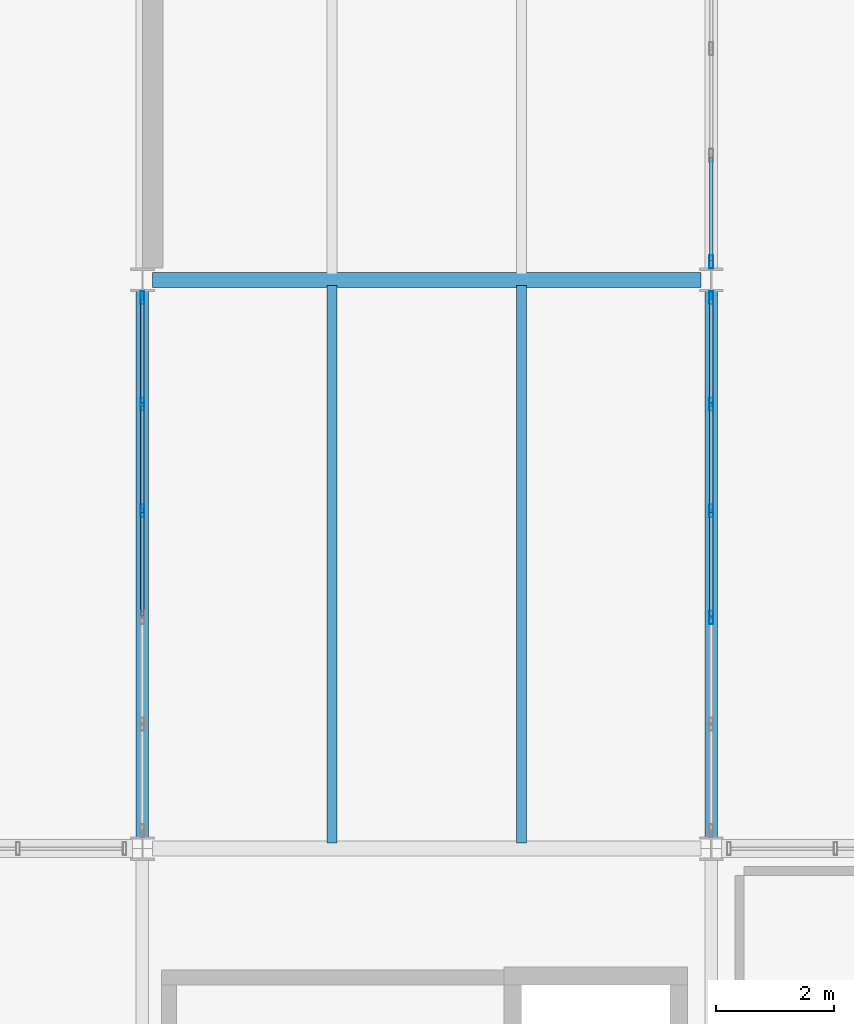
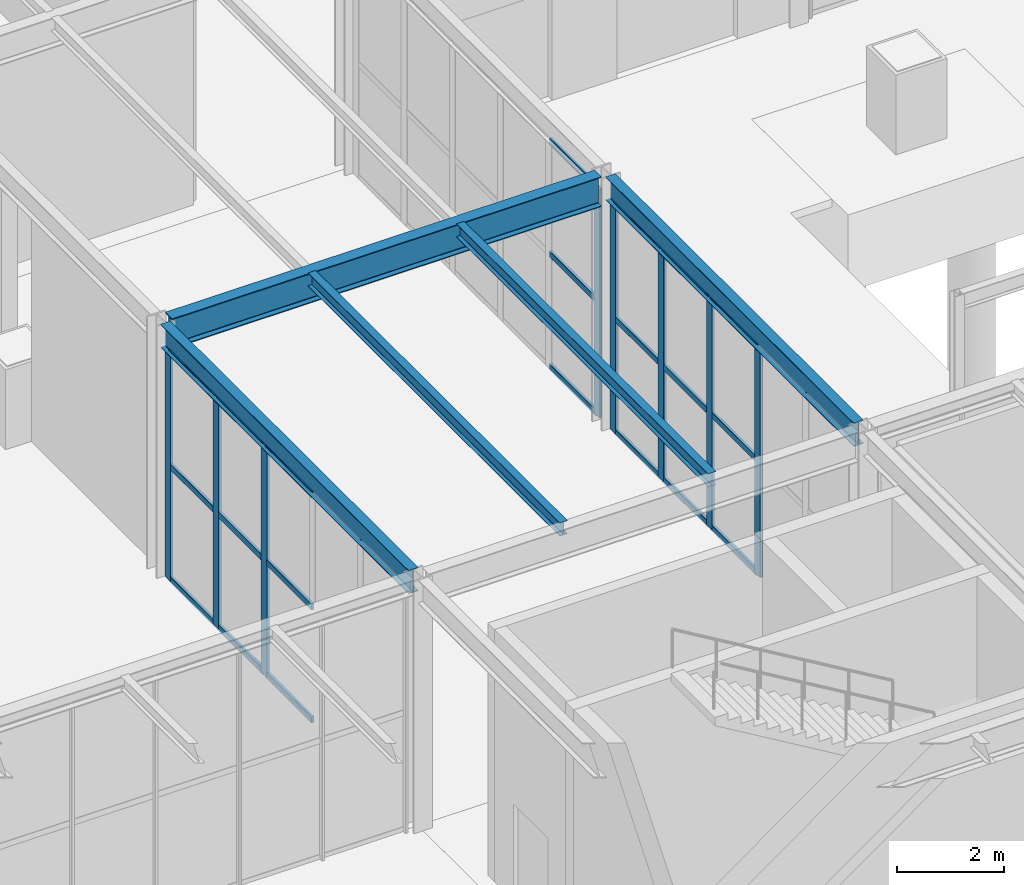
# One storey, part 45 of 142: 29 members, 5 beams, 3 elements without a shape of their own.
"""IFC4 building model written with IfcOpenShell, lengths in metres."""

from ifc_helpers import new_model, si_unit, direction, frame, origin, origin_2d, place, context, subcontext, project, spatial, hollow_rectangle, i_section, extrude, material, material_profile, profile_set, type_object, element, aggregate, save


model = new_model("IFC4")

# Units and contexts
model_context = context("Model", 3, precision=1e-05, world=origin(), true_north=direction((0.0, 1.0)))
body_context = subcontext(model_context, "Body", "Model", "MODEL_VIEW")
ifc_project = project(units=[si_unit("LENGTHUNIT", "METRE"), si_unit("AREAUNIT", "SQUARE_METRE"), si_unit("VOLUMEUNIT", "CUBIC_METRE"), si_unit("PLANEANGLEUNIT", "RADIAN"), si_unit("MASSUNIT", "GRAM", prefix="KILO")], contexts=[model_context])

# Site, building, storey
site_placement = place(None, origin())
site = spatial("IfcSite", under=ifc_project, at=site_placement, CompositionType="ELEMENT")
building_placement = place(site_placement, origin())
building = spatial("IfcBuilding", under=site, at=building_placement, Name="Coralgate Yard Interchange", CompositionType="ELEMENT")
storey_placement = place(building_placement, origin())
storey = spatial("IfcBuildingStorey", under=building, at=storey_placement, Name="L00", CompositionType="ELEMENT", Elevation=0.0)

# Beams
ifc_material_1 = material(Name="Structural steel S355J2", Category="steel")
ifc_material_profile_1 = material_profile(ifc_material_1, i_section(OverallWidth=0.209228515625, OverallDepth=0.533203125, WebThickness=0.010009765625, FlangeThickness=0.015625, FilletRadius=0.0126953125, at=origin_2d()), Name="UB 533x210x92")
ifc_profile_set_1 = profile_set([ifc_material_profile_1], Name="Structural steel S355J2")
beam_type_1 = type_object("IfcBeamType", Name="BM-SB-1", PredefinedType="BEAM", material=ifc_profile_set_1)
for number, where, z_axis, x_axis, name in (
    (1, (48.0, 19.36669921875, 5.4833984375), (0.0, 1.0, 0.0), (-1.0, 0.0, 0.0), "L00 primary grid girder X5 Y2-3"),
    (2, (57.60009765625, 19.36669921875, 5.4833984375), (0.0, 1.0, 0.0), (-1.0, 0.0, 0.0), "L00 primary grid girder X6 Y2-3"),
):
    element("IfcBeam", number, at=place(storey_placement, frame(where, z_axis=z_axis, x_axis=x_axis)), inside=storey, type_object=beam_type_1, Name=name, PredefinedType="BEAM", context=body_context, shape_type="SweptSolid", body=[
        extrude(i_section(OverallWidth=0.209228515625, OverallDepth=0.533203125, WebThickness=0.010009765625, FlangeThickness=0.015625, FilletRadius=0.0126953125, at=origin_2d()), origin(), (0.0, 0.0, 1.0), 9.2666015625),
    ])
ifc_material_profile_2 = material_profile(ifc_material_1, i_section(OverallWidth=0.253662109375, OverallDepth=0.68359375, WebThickness=0.012451171875, FlangeThickness=0.01904296875, FilletRadius=0.01513671875, at=origin_2d()), Name="UB 686x254x140")
ifc_profile_set_2 = profile_set([ifc_material_profile_2], Name="Structural steel S355J2")
beam_type_2 = type_object("IfcBeamType", Name="BM-SG-4", PredefinedType="BEAM", material=ifc_profile_set_2)
beam_placement = place(storey_placement, frame((48.16943359375, 28.800048828125, 5.408203125), z_axis=(1.0, 0.0, 0.0), x_axis=(0.0, 1.0, 0.0)))
element("IfcBeam", 3, at=beam_placement, inside=storey, type_object=beam_type_2, Name="L00 primary grid beam Y3 X5-6", PredefinedType="BEAM", context=body_context, shape_type="SweptSolid", body=[
    extrude(i_section(OverallWidth=0.253662109375, OverallDepth=0.68359375, WebThickness=0.012451171875, FlangeThickness=0.01904296875, FilletRadius=0.01513671875, at=origin_2d()), origin(), (0.0, 0.0, 1.0), 9.260986328125),
])
ifc_material_profile_3 = material_profile(ifc_material_1, i_section(OverallWidth=0.1650390625, OverallDepth=0.303466796875, WebThickness=0.006103515625, FlangeThickness=0.01025390625, FilletRadius=0.0087890625, at=origin_2d()), Name="UB 305x165x40")
ifc_profile_set_3 = profile_set([ifc_material_profile_3], Name="Structural steel S355J2")
beam_type_3 = type_object("IfcBeamType", Name="BM-SJ-1", PredefinedType="JOIST", material=ifc_profile_set_3)
for number, where, z_axis, x_axis, name in (
    (4, (51.199951171875, 19.296875, 5.598388671875), (0.0, 1.0, 0.0), (-1.0, 0.0, 0.0), "L00 composite floor joist 5-2-1"),
    (5, (54.39990234375, 19.296875, 5.598388671875), (0.0, 1.0, 0.0), (-1.0, 0.0, 0.0), "L00 composite floor joist 5-2-2"),
):
    element("IfcBeam", number, at=place(storey_placement, frame(where, z_axis=z_axis, x_axis=x_axis)), inside=storey, type_object=beam_type_3, Name=name, PredefinedType="JOIST", context=body_context, shape_type="SweptSolid", body=[
        extrude(i_section(OverallWidth=0.1650390625, OverallDepth=0.303466796875, WebThickness=0.006103515625, FlangeThickness=0.01025390625, FilletRadius=0.0087890625, at=origin_2d()), origin(), (0.0, 0.0, 1.0), 9.40625),
    ])

# Curtain wall, members
ifc_material_2 = material(Name="Anodised coastal aluminium and solar-control low-E glass", Category="aluminium")
curtain_wall_type_1 = type_object("IfcCurtainWallType", Name="CW-CW-L00-B", PredefinedType="NOTDEFINED", material=ifc_material_2)
curtain_wall_1_placement = place(storey_placement, origin())
curtain_wall_1 = element("IfcCurtainWall", 6, at=curtain_wall_1_placement, inside=storey, type_object=curtain_wall_type_1, Name="L00 unitised curtain wall CW-L00-W-05-02", PredefinedType="NOTDEFINED")
ifc_material_3 = material(Name="Anodised coastal aluminium 6063-T6", Category="aluminium")
ifc_material_profile_4 = material_profile(ifc_material_3, hollow_rectangle(XDim=0.06005859375, YDim=0.219970703125, WallThickness=0.00390625, InnerFilletRadius=0.00390625, OuterFilletRadius=0.008056640625, at=origin_2d()), Name="ALU 60x220x4")
ifc_profile_set_4 = profile_set([ifc_material_profile_4], Name="Anodised coastal aluminium 6063-T6")
member_type_1 = type_object("IfcMemberType", Name="MB-MUL-220", PredefinedType="MULLION", material=ifc_profile_set_4)
member_1_placement = place(storey_placement, frame((48.0, 24.89990234375, 0.0), z_axis=(0.0, 0.0, 1.0), x_axis=(1.0, 0.0, 0.0)))
member_1 = element("IfcMember", 7, at=member_1_placement, type_object=member_type_1, Name="CW-L00-W-05-02 vertical mullion 4", PredefinedType="MULLION", context=body_context, shape_type="SweptSolid", body=[
    extrude(hollow_rectangle(XDim=0.06005859375, YDim=0.219970703125, WallThickness=0.00390625, InnerFilletRadius=0.00390625, OuterFilletRadius=0.008056640625, at=origin_2d()), origin(), (0.0, 0.0, 1.0), 5.216796875),
])
member_2_placement = place(storey_placement, frame((48.0, 26.699951171875, 0.0), z_axis=(0.0, 0.0, 1.0), x_axis=(1.0, 0.0, 0.0)))
member_2 = element("IfcMember", 8, at=member_2_placement, type_object=member_type_1, Name="CW-L00-W-05-02 vertical mullion 5", PredefinedType="MULLION", context=body_context, shape_type="SweptSolid", body=[
    extrude(hollow_rectangle(XDim=0.06005859375, YDim=0.219970703125, WallThickness=0.00390625, InnerFilletRadius=0.00390625, OuterFilletRadius=0.008056640625, at=origin_2d()), origin(), (0.0, 0.0, 1.0), 5.216796875),
])
member_3_placement = place(storey_placement, frame((48.0, 28.5, 0.0), z_axis=(0.0, 0.0, 1.0), x_axis=(1.0, 0.0, 0.0)))
member_3 = element("IfcMember", 9, at=member_3_placement, type_object=member_type_1, Name="CW-L00-W-05-02 vertical mullion 6", PredefinedType="MULLION", context=body_context, shape_type="SweptSolid", body=[
    extrude(hollow_rectangle(XDim=0.06005859375, YDim=0.219970703125, WallThickness=0.00390625, InnerFilletRadius=0.00390625, OuterFilletRadius=0.008056640625, at=origin_2d()), origin(), (0.0, 0.0, 1.0), 5.216796875),
])

curtain_wall_type_2 = type_object("IfcCurtainWallType", Name="CW-CW-L00-A", PredefinedType="NOTDEFINED", material=ifc_material_2)
curtain_wall_2_placement = place(storey_placement, origin())
curtain_wall_2 = element("IfcCurtainWall", 10, at=curtain_wall_2_placement, inside=storey, type_object=curtain_wall_type_2, Name="L00 unitised curtain wall CW-L00-E-05-02", PredefinedType="NOTDEFINED")
member_4_placement = place(storey_placement, frame((57.60009765625, 28.5, 0.0), z_axis=(0.0, 0.0, 1.0), x_axis=(1.0, 0.0, 0.0)))
member_4 = element("IfcMember", 11, at=member_4_placement, type_object=member_type_1, Name="CW-L00-E-05-02 vertical mullion 1", PredefinedType="MULLION", context=body_context, shape_type="SweptSolid", body=[
    extrude(hollow_rectangle(XDim=0.06005859375, YDim=0.219970703125, WallThickness=0.00390625, InnerFilletRadius=0.00390625, OuterFilletRadius=0.008056640625, at=origin_2d()), origin(), (0.0, 0.0, 1.0), 5.216796875),
])
member_5_placement = place(storey_placement, frame((57.60009765625, 26.699951171875, 0.0), z_axis=(0.0, 0.0, 1.0), x_axis=(1.0, 0.0, 0.0)))
member_5 = element("IfcMember", 12, at=member_5_placement, type_object=member_type_1, Name="CW-L00-E-05-02 vertical mullion 2", PredefinedType="MULLION", context=body_context, shape_type="SweptSolid", body=[
    extrude(hollow_rectangle(XDim=0.06005859375, YDim=0.219970703125, WallThickness=0.00390625, InnerFilletRadius=0.00390625, OuterFilletRadius=0.008056640625, at=origin_2d()), origin(), (0.0, 0.0, 1.0), 5.216796875),
])
member_6_placement = place(storey_placement, frame((57.60009765625, 24.89990234375, 0.0), z_axis=(0.0, 0.0, 1.0), x_axis=(1.0, 0.0, 0.0)))
member_6 = element("IfcMember", 13, at=member_6_placement, type_object=member_type_1, Name="CW-L00-E-05-02 vertical mullion 3", PredefinedType="MULLION", context=body_context, shape_type="SweptSolid", body=[
    extrude(hollow_rectangle(XDim=0.06005859375, YDim=0.219970703125, WallThickness=0.00390625, InnerFilletRadius=0.00390625, OuterFilletRadius=0.008056640625, at=origin_2d()), origin(), (0.0, 0.0, 1.0), 5.216796875),
])
member_7_placement = place(storey_placement, frame((57.60009765625, 23.10009765625, 0.0), z_axis=(0.0, 0.0, 1.0), x_axis=(1.0, 0.0, 0.0)))
member_7 = element("IfcMember", 14, at=member_7_placement, type_object=member_type_1, Name="CW-L00-E-05-02 vertical mullion 4", PredefinedType="MULLION", context=body_context, shape_type="SweptSolid", body=[
    extrude(hollow_rectangle(XDim=0.06005859375, YDim=0.219970703125, WallThickness=0.00390625, InnerFilletRadius=0.00390625, OuterFilletRadius=0.008056640625, at=origin_2d()), origin(), (0.0, 0.0, 1.0), 5.216796875),
])

# Curtain wall, member
curtain_wall_3_placement = place(storey_placement, origin())
curtain_wall_3 = element("IfcCurtainWall", 15, at=curtain_wall_3_placement, inside=storey, type_object=curtain_wall_type_2, Name="L00 unitised curtain wall CW-L00-E-05-03", PredefinedType="NOTDEFINED")
member_8_placement = place(storey_placement, frame((57.60009765625, 29.10009765625, 0.0), z_axis=(0.0, 0.0, 1.0), x_axis=(1.0, 0.0, 0.0)))
member_8 = element("IfcMember", 16, at=member_8_placement, type_object=member_type_1, Name="CW-L00-E-05-03 vertical mullion 6", PredefinedType="MULLION", context=body_context, shape_type="SweptSolid", body=[
    extrude(hollow_rectangle(XDim=0.06005859375, YDim=0.219970703125, WallThickness=0.00390625, InnerFilletRadius=0.00390625, OuterFilletRadius=0.008056640625, at=origin_2d()), origin(), (0.0, 0.0, 1.0), 5.216796875),
])

# Member
ifc_material_profile_5 = material_profile(ifc_material_3, hollow_rectangle(XDim=0.06005859375, YDim=0.139892578125, WallThickness=0.00341796875, InnerFilletRadius=0.00341796875, OuterFilletRadius=0.007080078125, at=origin_2d()), Name="ALU 60x140x3.5")
ifc_profile_set_5 = profile_set([ifc_material_profile_5], Name="Anodised coastal aluminium 6063-T6")
member_type_2 = type_object("IfcMemberType", Name="MB-TRN-140", PredefinedType="USERDEFINED", material=ifc_profile_set_5)
member_9_placement = place(storey_placement, frame((48.0, 23.1298828125, 0.034912109375), z_axis=(0.0, 1.0, 0.0), x_axis=(-1.0, 0.0, 0.0)))
member_9 = element("IfcMember", 17, at=member_9_placement, type_object=member_type_2, Name="CW-L00-W-05-02 horizontal transom 3-1", ObjectType="TRANSOM", PredefinedType="USERDEFINED", context=body_context, shape_type="SweptSolid", body=[
    extrude(hollow_rectangle(XDim=0.06005859375, YDim=0.139892578125, WallThickness=0.00341796875, InnerFilletRadius=0.00341796875, OuterFilletRadius=0.007080078125, at=origin_2d()), origin(), (0.0, 0.0, 1.0), 1.740234375),
])

member_10_placement = place(storey_placement, frame((48.0, 23.1298828125, 2.6083984375), z_axis=(0.0, 1.0, 0.0), x_axis=(-1.0, 0.0, 0.0)))
member_10 = element("IfcMember", 18, at=member_10_placement, type_object=member_type_2, Name="CW-L00-W-05-02 horizontal transom 3-2", ObjectType="TRANSOM", PredefinedType="USERDEFINED", context=body_context, shape_type="SweptSolid", body=[
    extrude(hollow_rectangle(XDim=0.06005859375, YDim=0.139892578125, WallThickness=0.00341796875, InnerFilletRadius=0.00341796875, OuterFilletRadius=0.007080078125, at=origin_2d()), origin(), (0.0, 0.0, 1.0), 1.740234375),
])

member_11_placement = place(storey_placement, frame((48.0, 23.1298828125, 5.181884765625), z_axis=(0.0, 1.0, 0.0), x_axis=(-1.0, 0.0, 0.0)))
member_11 = element("IfcMember", 19, at=member_11_placement, type_object=member_type_2, Name="CW-L00-W-05-02 horizontal transom 3-3", ObjectType="TRANSOM", PredefinedType="USERDEFINED", context=body_context, shape_type="SweptSolid", body=[
    extrude(hollow_rectangle(XDim=0.06005859375, YDim=0.139892578125, WallThickness=0.00341796875, InnerFilletRadius=0.00341796875, OuterFilletRadius=0.007080078125, at=origin_2d()), origin(), (0.0, 0.0, 1.0), 1.740234375),
])

member_12_placement = place(storey_placement, frame((48.0, 24.929931640625, 0.034912109375), z_axis=(0.0, 1.0, 0.0), x_axis=(-1.0, 0.0, 0.0)))
member_12 = element("IfcMember", 20, at=member_12_placement, type_object=member_type_2, Name="CW-L00-W-05-02 horizontal transom 4-1", ObjectType="TRANSOM", PredefinedType="USERDEFINED", context=body_context, shape_type="SweptSolid", body=[
    extrude(hollow_rectangle(XDim=0.06005859375, YDim=0.139892578125, WallThickness=0.00341796875, InnerFilletRadius=0.00341796875, OuterFilletRadius=0.007080078125, at=origin_2d()), origin(), (0.0, 0.0, 1.0), 1.739990234375),
])

member_13_placement = place(storey_placement, frame((48.0, 24.929931640625, 2.6083984375), z_axis=(0.0, 1.0, 0.0), x_axis=(-1.0, 0.0, 0.0)))
member_13 = element("IfcMember", 21, at=member_13_placement, type_object=member_type_2, Name="CW-L00-W-05-02 horizontal transom 4-2", ObjectType="TRANSOM", PredefinedType="USERDEFINED", context=body_context, shape_type="SweptSolid", body=[
    extrude(hollow_rectangle(XDim=0.06005859375, YDim=0.139892578125, WallThickness=0.00341796875, InnerFilletRadius=0.00341796875, OuterFilletRadius=0.007080078125, at=origin_2d()), origin(), (0.0, 0.0, 1.0), 1.739990234375),
])

member_14_placement = place(storey_placement, frame((48.0, 24.929931640625, 5.181884765625), z_axis=(0.0, 1.0, 0.0), x_axis=(-1.0, 0.0, 0.0)))
member_14 = element("IfcMember", 22, at=member_14_placement, type_object=member_type_2, Name="CW-L00-W-05-02 horizontal transom 4-3", ObjectType="TRANSOM", PredefinedType="USERDEFINED", context=body_context, shape_type="SweptSolid", body=[
    extrude(hollow_rectangle(XDim=0.06005859375, YDim=0.139892578125, WallThickness=0.00341796875, InnerFilletRadius=0.00341796875, OuterFilletRadius=0.007080078125, at=origin_2d()), origin(), (0.0, 0.0, 1.0), 1.739990234375),
])

member_15_placement = place(storey_placement, frame((48.0, 26.72998046875, 0.034912109375), z_axis=(0.0, 1.0, 0.0), x_axis=(-1.0, 0.0, 0.0)))
member_15 = element("IfcMember", 23, at=member_15_placement, type_object=member_type_2, Name="CW-L00-W-05-02 horizontal transom 5-1", ObjectType="TRANSOM", PredefinedType="USERDEFINED", context=body_context, shape_type="SweptSolid", body=[
    extrude(hollow_rectangle(XDim=0.06005859375, YDim=0.139892578125, WallThickness=0.00341796875, InnerFilletRadius=0.00341796875, OuterFilletRadius=0.007080078125, at=origin_2d()), origin(), (0.0, 0.0, 1.0), 1.739990234375),
])

member_16_placement = place(storey_placement, frame((48.0, 26.72998046875, 2.6083984375), z_axis=(0.0, 1.0, 0.0), x_axis=(-1.0, 0.0, 0.0)))
member_16 = element("IfcMember", 24, at=member_16_placement, type_object=member_type_2, Name="CW-L00-W-05-02 horizontal transom 5-2", ObjectType="TRANSOM", PredefinedType="USERDEFINED", context=body_context, shape_type="SweptSolid", body=[
    extrude(hollow_rectangle(XDim=0.06005859375, YDim=0.139892578125, WallThickness=0.00341796875, InnerFilletRadius=0.00341796875, OuterFilletRadius=0.007080078125, at=origin_2d()), origin(), (0.0, 0.0, 1.0), 1.739990234375),
])

member_17_placement = place(storey_placement, frame((48.0, 26.72998046875, 5.181884765625), z_axis=(0.0, 1.0, 0.0), x_axis=(-1.0, 0.0, 0.0)))
member_17 = element("IfcMember", 25, at=member_17_placement, type_object=member_type_2, Name="CW-L00-W-05-02 horizontal transom 5-3", ObjectType="TRANSOM", PredefinedType="USERDEFINED", context=body_context, shape_type="SweptSolid", body=[
    extrude(hollow_rectangle(XDim=0.06005859375, YDim=0.139892578125, WallThickness=0.00341796875, InnerFilletRadius=0.00341796875, OuterFilletRadius=0.007080078125, at=origin_2d()), origin(), (0.0, 0.0, 1.0), 1.739990234375),
])

aggregate(curtain_wall_1, [member_1, member_2, member_3, member_9, member_10, member_11, member_12, member_13, member_14, member_15, member_16, member_17])

member_18_placement = place(storey_placement, frame((57.60009765625, 28.469970703125, 0.034912109375), z_axis=(0.0, -1.0, 0.0), x_axis=(1.0, 0.0, 0.0)))
member_18 = element("IfcMember", 26, at=member_18_placement, type_object=member_type_2, Name="CW-L00-E-05-02 horizontal transom 1-1", ObjectType="TRANSOM", PredefinedType="USERDEFINED", context=body_context, shape_type="SweptSolid", body=[
    extrude(hollow_rectangle(XDim=0.06005859375, YDim=0.139892578125, WallThickness=0.00341796875, InnerFilletRadius=0.00341796875, OuterFilletRadius=0.007080078125, at=origin_2d()), origin(), (0.0, 0.0, 1.0), 1.739990234375),
])

member_19_placement = place(storey_placement, frame((57.60009765625, 28.469970703125, 2.6083984375), z_axis=(0.0, -1.0, 0.0), x_axis=(1.0, 0.0, 0.0)))
member_19 = element("IfcMember", 27, at=member_19_placement, type_object=member_type_2, Name="CW-L00-E-05-02 horizontal transom 1-2", ObjectType="TRANSOM", PredefinedType="USERDEFINED", context=body_context, shape_type="SweptSolid", body=[
    extrude(hollow_rectangle(XDim=0.06005859375, YDim=0.139892578125, WallThickness=0.00341796875, InnerFilletRadius=0.00341796875, OuterFilletRadius=0.007080078125, at=origin_2d()), origin(), (0.0, 0.0, 1.0), 1.739990234375),
])

member_20_placement = place(storey_placement, frame((57.60009765625, 28.469970703125, 5.181884765625), z_axis=(0.0, -1.0, 0.0), x_axis=(1.0, 0.0, 0.0)))
member_20 = element("IfcMember", 28, at=member_20_placement, type_object=member_type_2, Name="CW-L00-E-05-02 horizontal transom 1-3", ObjectType="TRANSOM", PredefinedType="USERDEFINED", context=body_context, shape_type="SweptSolid", body=[
    extrude(hollow_rectangle(XDim=0.06005859375, YDim=0.139892578125, WallThickness=0.00341796875, InnerFilletRadius=0.00341796875, OuterFilletRadius=0.007080078125, at=origin_2d()), origin(), (0.0, 0.0, 1.0), 1.739990234375),
])

member_21_placement = place(storey_placement, frame((57.60009765625, 26.669921875, 0.034912109375), z_axis=(0.0, -1.0, 0.0), x_axis=(1.0, 0.0, 0.0)))
member_21 = element("IfcMember", 29, at=member_21_placement, type_object=member_type_2, Name="CW-L00-E-05-02 horizontal transom 2-1", ObjectType="TRANSOM", PredefinedType="USERDEFINED", context=body_context, shape_type="SweptSolid", body=[
    extrude(hollow_rectangle(XDim=0.06005859375, YDim=0.139892578125, WallThickness=0.00341796875, InnerFilletRadius=0.00341796875, OuterFilletRadius=0.007080078125, at=origin_2d()), origin(), (0.0, 0.0, 1.0), 1.739990234375),
])

member_22_placement = place(storey_placement, frame((57.60009765625, 26.669921875, 2.6083984375), z_axis=(0.0, -1.0, 0.0), x_axis=(1.0, 0.0, 0.0)))
member_22 = element("IfcMember", 30, at=member_22_placement, type_object=member_type_2, Name="CW-L00-E-05-02 horizontal transom 2-2", ObjectType="TRANSOM", PredefinedType="USERDEFINED", context=body_context, shape_type="SweptSolid", body=[
    extrude(hollow_rectangle(XDim=0.06005859375, YDim=0.139892578125, WallThickness=0.00341796875, InnerFilletRadius=0.00341796875, OuterFilletRadius=0.007080078125, at=origin_2d()), origin(), (0.0, 0.0, 1.0), 1.739990234375),
])

member_23_placement = place(storey_placement, frame((57.60009765625, 26.669921875, 5.181884765625), z_axis=(0.0, -1.0, 0.0), x_axis=(1.0, 0.0, 0.0)))
member_23 = element("IfcMember", 31, at=member_23_placement, type_object=member_type_2, Name="CW-L00-E-05-02 horizontal transom 2-3", ObjectType="TRANSOM", PredefinedType="USERDEFINED", context=body_context, shape_type="SweptSolid", body=[
    extrude(hollow_rectangle(XDim=0.06005859375, YDim=0.139892578125, WallThickness=0.00341796875, InnerFilletRadius=0.00341796875, OuterFilletRadius=0.007080078125, at=origin_2d()), origin(), (0.0, 0.0, 1.0), 1.739990234375),
])

member_24_placement = place(storey_placement, frame((57.60009765625, 24.8701171875, 0.034912109375), z_axis=(0.0, -1.0, 0.0), x_axis=(1.0, 0.0, 0.0)))
member_24 = element("IfcMember", 32, at=member_24_placement, type_object=member_type_2, Name="CW-L00-E-05-02 horizontal transom 3-1", ObjectType="TRANSOM", PredefinedType="USERDEFINED", context=body_context, shape_type="SweptSolid", body=[
    extrude(hollow_rectangle(XDim=0.06005859375, YDim=0.139892578125, WallThickness=0.00341796875, InnerFilletRadius=0.00341796875, OuterFilletRadius=0.007080078125, at=origin_2d()), origin(), (0.0, 0.0, 1.0), 1.740234375),
])

member_25_placement = place(storey_placement, frame((57.60009765625, 24.8701171875, 2.6083984375), z_axis=(0.0, -1.0, 0.0), x_axis=(1.0, 0.0, 0.0)))
member_25 = element("IfcMember", 33, at=member_25_placement, type_object=member_type_2, Name="CW-L00-E-05-02 horizontal transom 3-2", ObjectType="TRANSOM", PredefinedType="USERDEFINED", context=body_context, shape_type="SweptSolid", body=[
    extrude(hollow_rectangle(XDim=0.06005859375, YDim=0.139892578125, WallThickness=0.00341796875, InnerFilletRadius=0.00341796875, OuterFilletRadius=0.007080078125, at=origin_2d()), origin(), (0.0, 0.0, 1.0), 1.740234375),
])

member_26_placement = place(storey_placement, frame((57.60009765625, 24.8701171875, 5.181884765625), z_axis=(0.0, -1.0, 0.0), x_axis=(1.0, 0.0, 0.0)))
member_26 = element("IfcMember", 34, at=member_26_placement, type_object=member_type_2, Name="CW-L00-E-05-02 horizontal transom 3-3", ObjectType="TRANSOM", PredefinedType="USERDEFINED", context=body_context, shape_type="SweptSolid", body=[
    extrude(hollow_rectangle(XDim=0.06005859375, YDim=0.139892578125, WallThickness=0.00341796875, InnerFilletRadius=0.00341796875, OuterFilletRadius=0.007080078125, at=origin_2d()), origin(), (0.0, 0.0, 1.0), 1.740234375),
])

aggregate(curtain_wall_2, [member_4, member_5, member_6, member_7, member_18, member_19, member_20, member_21, member_22, member_23, member_24, member_25, member_26])

member_27_placement = place(storey_placement, frame((57.60009765625, 30.8701171875, 0.034912109375), z_axis=(0.0, -1.0, 0.0), x_axis=(1.0, 0.0, 0.0)))
member_27 = element("IfcMember", 35, at=member_27_placement, type_object=member_type_2, Name="CW-L00-E-05-03 horizontal transom 5-1", ObjectType="TRANSOM", PredefinedType="USERDEFINED", context=body_context, shape_type="SweptSolid", body=[
    extrude(hollow_rectangle(XDim=0.06005859375, YDim=0.139892578125, WallThickness=0.00341796875, InnerFilletRadius=0.00341796875, OuterFilletRadius=0.007080078125, at=origin_2d()), origin(), (0.0, 0.0, 1.0), 1.740234375),
])

member_28_placement = place(storey_placement, frame((57.60009765625, 30.8701171875, 2.6083984375), z_axis=(0.0, -1.0, 0.0), x_axis=(1.0, 0.0, 0.0)))
member_28 = element("IfcMember", 36, at=member_28_placement, type_object=member_type_2, Name="CW-L00-E-05-03 horizontal transom 5-2", ObjectType="TRANSOM", PredefinedType="USERDEFINED", context=body_context, shape_type="SweptSolid", body=[
    extrude(hollow_rectangle(XDim=0.06005859375, YDim=0.139892578125, WallThickness=0.00341796875, InnerFilletRadius=0.00341796875, OuterFilletRadius=0.007080078125, at=origin_2d()), origin(), (0.0, 0.0, 1.0), 1.740234375),
])

member_29_placement = place(storey_placement, frame((57.60009765625, 30.8701171875, 5.181884765625), z_axis=(0.0, -1.0, 0.0), x_axis=(1.0, 0.0, 0.0)))
member_29 = element("IfcMember", 37, at=member_29_placement, type_object=member_type_2, Name="CW-L00-E-05-03 horizontal transom 5-3", ObjectType="TRANSOM", PredefinedType="USERDEFINED", context=body_context, shape_type="SweptSolid", body=[
    extrude(hollow_rectangle(XDim=0.06005859375, YDim=0.139892578125, WallThickness=0.00341796875, InnerFilletRadius=0.00341796875, OuterFilletRadius=0.007080078125, at=origin_2d()), origin(), (0.0, 0.0, 1.0), 1.740234375),
])

aggregate(curtain_wall_3, [member_8, member_27, member_28, member_29])

save(model, "model.ifc")
